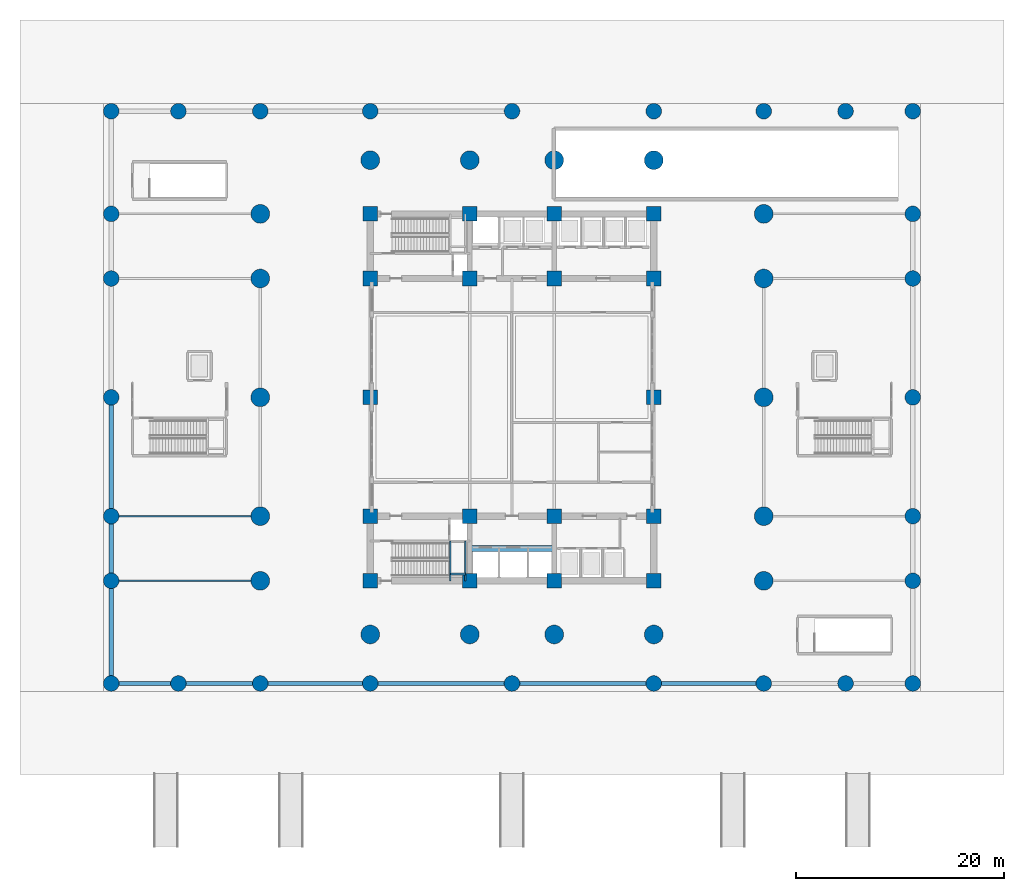
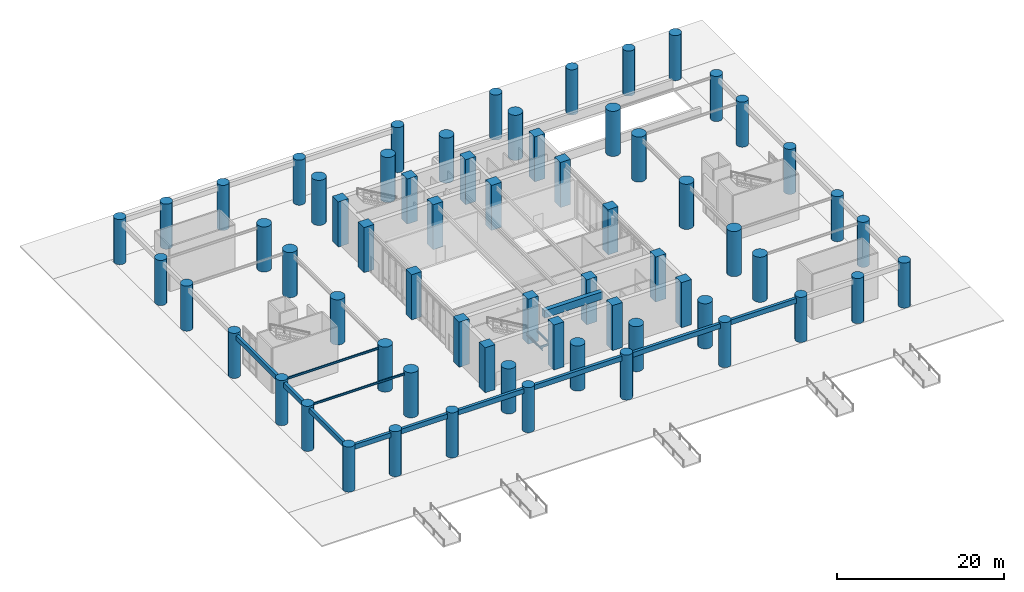
# One storey, part 1 of 16: 64 columns, 15 beams.
"""IFC4 building model written with IfcOpenShell, lengths in metres."""

from ifc_helpers import new_model, si_unit, direction, frame, origin, origin_2d, place, context, subcontext, project, spatial, rectangle, circle, i_section, extrude, material, material_profile, profile_set, type_object, element, save


model = new_model("IFC4")

# Units and contexts
model_context = context("Model", 3, precision=1e-05, world=origin(), true_north=direction((0.0, 1.0)))
body_context = subcontext(model_context, "Body", "Model", "MODEL_VIEW")
ifc_project = project(units=[si_unit("LENGTHUNIT", "METRE"), si_unit("AREAUNIT", "SQUARE_METRE"), si_unit("VOLUMEUNIT", "CUBIC_METRE"), si_unit("PLANEANGLEUNIT", "RADIAN"), si_unit("MASSUNIT", "GRAM", prefix="KILO")], contexts=[model_context])

# Site, building, storey
site_placement = place(None, origin())
site = spatial("IfcSite", under=ifc_project, at=site_placement, CompositionType="ELEMENT")
building_placement = place(site_placement, origin())
building = spatial("IfcBuilding", under=site, at=building_placement, Name="Svetorya Sky Lyceum", CompositionType="ELEMENT")
storey_placement = place(building_placement, origin())
storey = spatial("IfcBuildingStorey", under=building, at=storey_placement, Name="L00", CompositionType="ELEMENT", Elevation=0.0)

# Columns
ifc_material_1 = material(Name="Concrete C60/75", Category="concrete")
ifc_material_profile_1 = material_profile(ifc_material_1, circle(Radius=0.75, at=origin_2d()), Name="RC PILOTI D1500")
ifc_profile_set_1 = profile_set([ifc_material_profile_1], Name="Concrete C60/75")
column_type_1 = type_object("IfcColumnType", Name="COL-PIL-1500", PredefinedType="COLUMN", material=ifc_profile_set_1)
for number, where, z_axis, x_axis, name in (
    (1, (0.75, 0.75, 0.0), (0.0, 0.0, 1.0), (1.0, 0.0, 0.0), "L00 Pilotis Stilt PC-0101"),
    (2, (0.75, 10.60009765625, 0.0), (0.0, 0.0, 1.0), (1.0, 0.0, 0.0), "L00 Pilotis Stilt PC-0102"),
    (3, (0.75, 16.800048828125, 0.0), (0.0, 0.0, 1.0), (1.0, 0.0, 0.0), "L00 Pilotis Stilt PC-0103"),
    (4, (0.75, 28.199951171875, 0.0), (0.0, 0.0, 1.0), (1.0, 0.0, 0.0), "L00 Pilotis Stilt PC-0104"),
    (5, (0.75, 39.60009765625, 0.0), (0.0, 0.0, 1.0), (1.0, 0.0, 0.0), "L00 Pilotis Stilt PC-0105"),
    (6, (0.75, 45.800048828125, 0.0), (0.0, 0.0, 1.0), (1.0, 0.0, 0.0), "L00 Pilotis Stilt PC-0106"),
    (7, (0.75, 55.64990234375, 0.0), (0.0, 0.0, 1.0), (1.0, 0.0, 0.0), "L00 Pilotis Stilt PC-0107"),
    (8, (7.199951171875, 0.75, 0.0), (0.0, 0.0, 1.0), (1.0, 0.0, 0.0), "L00 Pilotis Stilt PC-0201"),
    (9, (7.199951171875, 55.64990234375, 0.0), (0.0, 0.0, 1.0), (1.0, 0.0, 0.0), "L00 Pilotis Stilt PC-0207"),
    (10, (15.050048828125, 0.75, 0.0), (0.0, 0.0, 1.0), (1.0, 0.0, 0.0), "L00 Pilotis Stilt PC-0301"),
    (11, (15.050048828125, 55.64990234375, 0.0), (0.0, 0.0, 1.0), (1.0, 0.0, 0.0), "L00 Pilotis Stilt PC-0307"),
    (12, (25.60009765625, 0.75, 0.0), (0.0, 0.0, 1.0), (1.0, 0.0, 0.0), "L00 Pilotis Stilt PC-0401"),
    (13, (25.60009765625, 55.64990234375, 0.0), (0.0, 0.0, 1.0), (1.0, 0.0, 0.0), "L00 Pilotis Stilt PC-0407"),
    (14, (39.199951171875, 0.75, 0.0), (0.0, 0.0, 1.0), (1.0, 0.0, 0.0), "L00 Pilotis Stilt PC-0501"),
    (15, (39.199951171875, 55.64990234375, 0.0), (0.0, 0.0, 1.0), (1.0, 0.0, 0.0), "L00 Pilotis Stilt PC-0507"),
    (16, (52.800048828125, 0.75, 0.0), (0.0, 0.0, 1.0), (1.0, 0.0, 0.0), "L00 Pilotis Stilt PC-0601"),
    (17, (52.800048828125, 55.64990234375, 0.0), (0.0, 0.0, 1.0), (1.0, 0.0, 0.0), "L00 Pilotis Stilt PC-0607"),
    (18, (63.35009765625, 0.75, 0.0), (0.0, 0.0, 1.0), (1.0, 0.0, 0.0), "L00 Pilotis Stilt PC-0701"),
    (19, (63.35009765625, 55.64990234375, 0.0), (0.0, 0.0, 1.0), (1.0, 0.0, 0.0), "L00 Pilotis Stilt PC-0707"),
    (20, (71.199951171875, 0.75, 0.0), (0.0, 0.0, 1.0), (1.0, 0.0, 0.0), "L00 Pilotis Stilt PC-0801"),
    (21, (71.199951171875, 55.64990234375, 0.0), (0.0, 0.0, 1.0), (1.0, 0.0, 0.0), "L00 Pilotis Stilt PC-0807"),
    (22, (77.64990234375, 0.75, 0.0), (0.0, 0.0, 1.0), (1.0, 0.0, 0.0), "L00 Pilotis Stilt PC-0901"),
    (23, (77.64990234375, 10.60009765625, 0.0), (0.0, 0.0, 1.0), (1.0, 0.0, 0.0), "L00 Pilotis Stilt PC-0902"),
    (24, (77.64990234375, 16.800048828125, 0.0), (0.0, 0.0, 1.0), (1.0, 0.0, 0.0), "L00 Pilotis Stilt PC-0903"),
    (25, (77.64990234375, 28.199951171875, 0.0), (0.0, 0.0, 1.0), (1.0, 0.0, 0.0), "L00 Pilotis Stilt PC-0904"),
    (26, (77.64990234375, 39.60009765625, 0.0), (0.0, 0.0, 1.0), (1.0, 0.0, 0.0), "L00 Pilotis Stilt PC-0905"),
    (27, (77.64990234375, 45.800048828125, 0.0), (0.0, 0.0, 1.0), (1.0, 0.0, 0.0), "L00 Pilotis Stilt PC-0906"),
    (28, (77.64990234375, 55.64990234375, 0.0), (0.0, 0.0, 1.0), (1.0, 0.0, 0.0), "L00 Pilotis Stilt PC-0907"),
):
    element("IfcColumn", number, at=place(storey_placement, frame(where, z_axis=z_axis, x_axis=x_axis)), inside=storey, type_object=column_type_1, Name=name, PredefinedType="COLUMN", context=body_context, shape_type="SweptSolid", body=[
        extrude(circle(Radius=0.75, at=origin_2d()), origin(), (0.0, 0.0, 1.0), 6.60009765625),
    ])
ifc_material_profile_2 = material_profile(ifc_material_1, circle(Radius=0.89990234375, at=origin_2d()), Name="RC PILOTI D1800")
ifc_profile_set_2 = profile_set([ifc_material_profile_2], Name="Concrete C60/75")
column_type_2 = type_object("IfcColumnType", Name="COL-PIL-1800", PredefinedType="COLUMN", material=ifc_profile_set_2)
for number, where, z_axis, x_axis, name in (
    (29, (25.60009765625, 5.449951171875, 0.0), (0.0, 0.0, 1.0), (1.0, 0.0, 0.0), "L00 Monumental Pilotis Stilt S1"),
    (30, (25.60009765625, 50.949951171875, 0.0), (0.0, 0.0, 1.0), (1.0, 0.0, 0.0), "L00 Monumental Pilotis Stilt N1"),
    (31, (35.14990234375, 5.449951171875, 0.0), (0.0, 0.0, 1.0), (1.0, 0.0, 0.0), "L00 Monumental Pilotis Stilt S2"),
    (32, (35.14990234375, 50.949951171875, 0.0), (0.0, 0.0, 1.0), (1.0, 0.0, 0.0), "L00 Monumental Pilotis Stilt N2"),
    (33, (43.25, 5.449951171875, 0.0), (0.0, 0.0, 1.0), (1.0, 0.0, 0.0), "L00 Monumental Pilotis Stilt S3"),
    (34, (43.25, 50.949951171875, 0.0), (0.0, 0.0, 1.0), (1.0, 0.0, 0.0), "L00 Monumental Pilotis Stilt N3"),
    (35, (52.800048828125, 5.449951171875, 0.0), (0.0, 0.0, 1.0), (1.0, 0.0, 0.0), "L00 Monumental Pilotis Stilt S4"),
    (36, (52.800048828125, 50.949951171875, 0.0), (0.0, 0.0, 1.0), (1.0, 0.0, 0.0), "L00 Monumental Pilotis Stilt N4"),
    (37, (15.050048828125, 10.60009765625, 0.0), (0.0, 0.0, 1.0), (1.0, 0.0, 0.0), "L00 Monumental Pilotis Stilt W1"),
    (38, (63.35009765625, 10.60009765625, 0.0), (0.0, 0.0, 1.0), (1.0, 0.0, 0.0), "L00 Monumental Pilotis Stilt E1"),
    (39, (15.050048828125, 16.800048828125, 0.0), (0.0, 0.0, 1.0), (1.0, 0.0, 0.0), "L00 Monumental Pilotis Stilt W2"),
    (40, (63.35009765625, 16.800048828125, 0.0), (0.0, 0.0, 1.0), (1.0, 0.0, 0.0), "L00 Monumental Pilotis Stilt E2"),
    (41, (15.050048828125, 28.199951171875, 0.0), (0.0, 0.0, 1.0), (1.0, 0.0, 0.0), "L00 Monumental Pilotis Stilt W3"),
    (42, (63.35009765625, 28.199951171875, 0.0), (0.0, 0.0, 1.0), (1.0, 0.0, 0.0), "L00 Monumental Pilotis Stilt E3"),
    (43, (15.050048828125, 39.60009765625, 0.0), (0.0, 0.0, 1.0), (1.0, 0.0, 0.0), "L00 Monumental Pilotis Stilt W4"),
    (44, (63.35009765625, 39.60009765625, 0.0), (0.0, 0.0, 1.0), (1.0, 0.0, 0.0), "L00 Monumental Pilotis Stilt E4"),
    (45, (15.050048828125, 45.800048828125, 0.0), (0.0, 0.0, 1.0), (1.0, 0.0, 0.0), "L00 Monumental Pilotis Stilt W5"),
    (46, (63.35009765625, 45.800048828125, 0.0), (0.0, 0.0, 1.0), (1.0, 0.0, 0.0), "L00 Monumental Pilotis Stilt E5"),
):
    element("IfcColumn", number, at=place(storey_placement, frame(where, z_axis=z_axis, x_axis=x_axis)), inside=storey, type_object=column_type_2, Name=name, PredefinedType="COLUMN", context=body_context, shape_type="SweptSolid", body=[
        extrude(circle(Radius=0.89990234375, at=origin_2d()), origin(), (0.0, 0.0, 1.0), 6.60009765625),
    ])
ifc_material_profile_3 = material_profile(ifc_material_1, rectangle(XDim=1.39990234375, YDim=1.39990234375, at=origin_2d()), Name="RC COL 1400x1400")
ifc_profile_set_3 = profile_set([ifc_material_profile_3], Name="Concrete C60/75")
column_type_3 = type_object("IfcColumnType", Name="COL-RC-1400", PredefinedType="COLUMN", material=ifc_profile_set_3)
for number, where, z_axis, x_axis, name in (
    (47, (25.60009765625, 10.60009765625, 0.0), (0.0, 0.0, 1.0), (1.0, 0.0, 0.0), "L00 Core Column CS-11"),
    (48, (25.60009765625, 16.800048828125, 0.0), (0.0, 0.0, 1.0), (1.0, 0.0, 0.0), "L00 Core Column CS-12"),
    (49, (35.14990234375, 10.60009765625, 0.0), (0.0, 0.0, 1.0), (1.0, 0.0, 0.0), "L00 Core Column CS-21"),
    (50, (35.14990234375, 16.800048828125, 0.0), (0.0, 0.0, 1.0), (1.0, 0.0, 0.0), "L00 Core Column CS-22"),
    (51, (43.25, 10.60009765625, 0.0), (0.0, 0.0, 1.0), (1.0, 0.0, 0.0), "L00 Core Column CS-31"),
    (52, (43.25, 16.800048828125, 0.0), (0.0, 0.0, 1.0), (1.0, 0.0, 0.0), "L00 Core Column CS-32"),
    (53, (52.800048828125, 10.60009765625, 0.0), (0.0, 0.0, 1.0), (1.0, 0.0, 0.0), "L00 Core Column CS-41"),
    (54, (52.800048828125, 16.800048828125, 0.0), (0.0, 0.0, 1.0), (1.0, 0.0, 0.0), "L00 Core Column CS-42"),
    (55, (25.60009765625, 39.60009765625, 0.0), (0.0, 0.0, 1.0), (1.0, 0.0, 0.0), "L00 Core Column CN-11"),
    (56, (25.60009765625, 45.800048828125, 0.0), (0.0, 0.0, 1.0), (1.0, 0.0, 0.0), "L00 Core Column CN-12"),
    (57, (35.14990234375, 39.60009765625, 0.0), (0.0, 0.0, 1.0), (1.0, 0.0, 0.0), "L00 Core Column CN-21"),
    (58, (35.14990234375, 45.800048828125, 0.0), (0.0, 0.0, 1.0), (1.0, 0.0, 0.0), "L00 Core Column CN-22"),
    (59, (43.25, 39.60009765625, 0.0), (0.0, 0.0, 1.0), (1.0, 0.0, 0.0), "L00 Core Column CN-31"),
    (60, (43.25, 45.800048828125, 0.0), (0.0, 0.0, 1.0), (1.0, 0.0, 0.0), "L00 Core Column CN-32"),
    (61, (52.800048828125, 39.60009765625, 0.0), (0.0, 0.0, 1.0), (1.0, 0.0, 0.0), "L00 Core Column CN-41"),
    (62, (52.800048828125, 45.800048828125, 0.0), (0.0, 0.0, 1.0), (1.0, 0.0, 0.0), "L00 Core Column CN-42"),
    (63, (25.60009765625, 28.199951171875, 0.0), (0.0, 0.0, 1.0), (1.0, 0.0, 0.0), "L00 Core Column CM-W"),
    (64, (52.800048828125, 28.199951171875, 0.0), (0.0, 0.0, 1.0), (1.0, 0.0, 0.0), "L00 Core Column CM-E"),
):
    element("IfcColumn", number, at=place(storey_placement, frame(where, z_axis=z_axis, x_axis=x_axis)), inside=storey, type_object=column_type_3, Name=name, PredefinedType="COLUMN", context=body_context, shape_type="SweptSolid", body=[
        extrude(rectangle(XDim=1.39990234375, YDim=1.39990234375, at=origin_2d()), origin(), (0.0, 0.0, 1.0), 6.60009765625),
    ])

# Beams
ifc_material_profile_4 = material_profile(ifc_material_1, rectangle(XDim=0.60009765625, YDim=1.10009765625, at=origin_2d()), Name="RC COUPLING 600x1100")
ifc_profile_set_4 = profile_set([ifc_material_profile_4], Name="Concrete C60/75")
beam_type_1 = type_object("IfcBeamType", Name="BM-CPL-1100", PredefinedType="LINTEL", material=ifc_profile_set_4)
beam_1_placement = place(storey_placement, frame((35.14990234375, 13.699951171875, 5.75), z_axis=(1.0, 0.0, 0.0), x_axis=(0.0, 1.0, 0.0)))
element("IfcBeam", 65, at=beam_1_placement, inside=storey, type_object=beam_type_1, Name="L00 SC Core Coupling Beam", PredefinedType="LINTEL", context=body_context, shape_type="SweptSolid", body=[
    extrude(rectangle(XDim=0.60009765625, YDim=1.10009765625, at=origin_2d()), origin(), (0.0, 0.0, 1.0), 8.10009765625),
])
ifc_material_2 = material(Name="Concrete C50/60", Category="concrete")
ifc_material_profile_5 = material_profile(ifc_material_2, rectangle(XDim=0.39990234375, YDim=0.699951171875, at=origin_2d()), Name="RC SPANDREL 400x700")
ifc_profile_set_5 = profile_set([ifc_material_profile_5], Name="Concrete C50/60")
beam_type_2 = type_object("IfcBeamType", Name="BM-SPN-700", PredefinedType="SPANDREL", material=ifc_profile_set_5)
beam_2_placement = place(storey_placement, frame((0.75, 0.75, 5.949951171875), z_axis=(1.0, 0.0, 0.0), x_axis=(0.0, 1.0, 0.0)))
element("IfcBeam", 66, at=beam_2_placement, inside=storey, type_object=beam_type_2, Name="L00 Podium South Spandrel 1", PredefinedType="SPANDREL", context=body_context, shape_type="SweptSolid", body=[
    extrude(rectangle(XDim=0.39990234375, YDim=0.699951171875, at=origin_2d()), origin(), (0.0, 0.0, 1.0), 6.449951171875),
])
beam_3_placement = place(storey_placement, frame((7.199951171875, 0.75, 5.949951171875), z_axis=(1.0, 0.0, 0.0), x_axis=(0.0, 1.0, 0.0)))
element("IfcBeam", 67, at=beam_3_placement, inside=storey, type_object=beam_type_2, Name="L00 Podium South Spandrel 2", PredefinedType="SPANDREL", context=body_context, shape_type="SweptSolid", body=[
    extrude(rectangle(XDim=0.39990234375, YDim=0.699951171875, at=origin_2d()), origin(), (0.0, 0.0, 1.0), 7.85009765625),
])
beam_4_placement = place(storey_placement, frame((15.050048828125, 0.75, 5.949951171875), z_axis=(1.0, 0.0, 0.0), x_axis=(0.0, 1.0, 0.0)))
element("IfcBeam", 68, at=beam_4_placement, inside=storey, type_object=beam_type_2, Name="L00 Podium South Spandrel 3", PredefinedType="SPANDREL", context=body_context, shape_type="SweptSolid", body=[
    extrude(rectangle(XDim=0.39990234375, YDim=0.699951171875, at=origin_2d()), origin(), (0.0, 0.0, 1.0), 10.550048828125),
])
beam_5_placement = place(storey_placement, frame((25.60009765625, 0.75, 5.949951171875), z_axis=(1.0, 0.0, 0.0), x_axis=(0.0, 1.0, 0.0)))
element("IfcBeam", 69, at=beam_5_placement, inside=storey, type_object=beam_type_2, Name="L00 Podium South Spandrel 4", PredefinedType="SPANDREL", context=body_context, shape_type="SweptSolid", body=[
    extrude(rectangle(XDim=0.39990234375, YDim=0.699951171875, at=origin_2d()), origin(), (0.0, 0.0, 1.0), 13.599853515625),
])
beam_6_placement = place(storey_placement, frame((39.199951171875, 0.75, 5.949951171875), z_axis=(1.0, 0.0, 0.0), x_axis=(0.0, 1.0, 0.0)))
element("IfcBeam", 70, at=beam_6_placement, inside=storey, type_object=beam_type_2, Name="L00 Podium South Spandrel 5", PredefinedType="SPANDREL", context=body_context, shape_type="SweptSolid", body=[
    extrude(rectangle(XDim=0.39990234375, YDim=0.699951171875, at=origin_2d()), origin(), (0.0, 0.0, 1.0), 13.60009765625),
])
beam_7_placement = place(storey_placement, frame((52.800048828125, 0.75, 5.949951171875), z_axis=(1.0, 0.0, 0.0), x_axis=(0.0, 1.0, 0.0)))
element("IfcBeam", 71, at=beam_7_placement, inside=storey, type_object=beam_type_2, Name="L00 Podium South Spandrel 6", PredefinedType="SPANDREL", context=body_context, shape_type="SweptSolid", body=[
    extrude(rectangle(XDim=0.39990234375, YDim=0.699951171875, at=origin_2d()), origin(), (0.0, 0.0, 1.0), 10.550048828125),
])
beam_8_placement = place(storey_placement, frame((0.75, 0.75, 5.949951171875), z_axis=(0.0, 1.0, 0.0), x_axis=(-1.0, 0.0, 0.0)))
element("IfcBeam", 72, at=beam_8_placement, inside=storey, type_object=beam_type_2, Name="L00 Podium West Spandrel 1", PredefinedType="SPANDREL", context=body_context, shape_type="SweptSolid", body=[
    extrude(rectangle(XDim=0.39990234375, YDim=0.699951171875, at=origin_2d()), origin(), (0.0, 0.0, 1.0), 9.85009765625),
])
beam_9_placement = place(storey_placement, frame((0.75, 10.60009765625, 5.949951171875), z_axis=(0.0, 1.0, 0.0), x_axis=(-1.0, 0.0, 0.0)))
element("IfcBeam", 73, at=beam_9_placement, inside=storey, type_object=beam_type_2, Name="L00 Podium West Spandrel 2", PredefinedType="SPANDREL", context=body_context, shape_type="SweptSolid", body=[
    extrude(rectangle(XDim=0.39990234375, YDim=0.699951171875, at=origin_2d()), origin(), (0.0, 0.0, 1.0), 6.199951171875),
])
beam_10_placement = place(storey_placement, frame((0.75, 16.800048828125, 5.949951171875), z_axis=(0.0, 1.0, 0.0), x_axis=(-1.0, 0.0, 0.0)))
element("IfcBeam", 74, at=beam_10_placement, inside=storey, type_object=beam_type_2, Name="L00 Podium West Spandrel 3", PredefinedType="SPANDREL", context=body_context, shape_type="SweptSolid", body=[
    extrude(rectangle(XDim=0.39990234375, YDim=0.699951171875, at=origin_2d()), origin(), (0.0, 0.0, 1.0), 11.39990234375),
])
ifc_material_3 = material(Name="Steel S355", Category="steel")
ifc_material_profile_6 = material_profile(ifc_material_3, i_section(OverallWidth=0.14990234375, OverallDepth=0.299072265625, WebThickness=0.006591796875, FlangeThickness=0.010498046875, at=origin_2d()), Name="GOST 30B2")
ifc_profile_set_6 = profile_set([ifc_material_profile_6], Name="Steel S355")
beam_type_3 = type_object("IfcBeamType", Name="BM-STL-30B2", PredefinedType="JOIST", material=ifc_profile_set_6)
for number, where, z_axis, x_axis, name in (
    (75, (0.75, 10.60009765625, 6.150390625), (1.0, 0.0, 0.0), (0.0, 1.0, 0.0), "L00 Podium Wing Joist W1"),
    (76, (0.75, 16.800048828125, 6.150390625), (1.0, 0.0, 0.0), (0.0, 1.0, 0.0), "L00 Podium Wing Joist W2"),
):
    element("IfcBeam", number, at=place(storey_placement, frame(where, z_axis=z_axis, x_axis=x_axis)), inside=storey, type_object=beam_type_3, Name=name, PredefinedType="JOIST", context=body_context, shape_type="SweptSolid", body=[
        extrude(i_section(OverallWidth=0.14990234375, OverallDepth=0.299072265625, WebThickness=0.006591796875, FlangeThickness=0.010498046875, at=origin_2d()), origin(), (0.0, 0.0, 1.0), 14.300048828125),
    ])
for number, where, z_axis, x_axis, name in (
    (77, (33.280029296875, 10.60009765625, 2.950439453125), (0.0, 1.0, 0.0), (-1.0, 0.0, 0.0), "L00 Stair ST-S Half-Landing Support Beam 2.1"),
    (78, (34.719970703125, 10.60009765625, 2.950439453125), (0.0, 1.0, 0.0), (-1.0, 0.0, 0.0), "L00 Stair ST-S Half-Landing Support Beam 2.2"),
):
    element("IfcBeam", number, at=place(storey_placement, frame(where, z_axis=z_axis, x_axis=x_axis)), inside=storey, type_object=beam_type_3, Name=name, PredefinedType="JOIST", context=body_context, shape_type="SweptSolid", body=[
        extrude(i_section(OverallWidth=0.14990234375, OverallDepth=0.299072265625, WebThickness=0.006591796875, FlangeThickness=0.010498046875, at=origin_2d()), origin(), (0.0, 0.0, 1.0), 3.7998046875),
    ])
beam_11_placement = place(storey_placement, frame((33.280029296875, 11.25, 2.950439453125), z_axis=(1.0, 0.0, 0.0), x_axis=(0.0, 1.0, 0.0)))
element("IfcBeam", 79, at=beam_11_placement, inside=storey, type_object=beam_type_3, Name="L00 Stair ST-S Half-Landing Cross Tie 2", PredefinedType="JOIST", context=body_context, shape_type="SweptSolid", body=[
    extrude(i_section(OverallWidth=0.14990234375, OverallDepth=0.299072265625, WebThickness=0.006591796875, FlangeThickness=0.010498046875, at=origin_2d()), origin(), (0.0, 0.0, 1.0), 1.43994140625),
])

save(model, "model.ifc")
